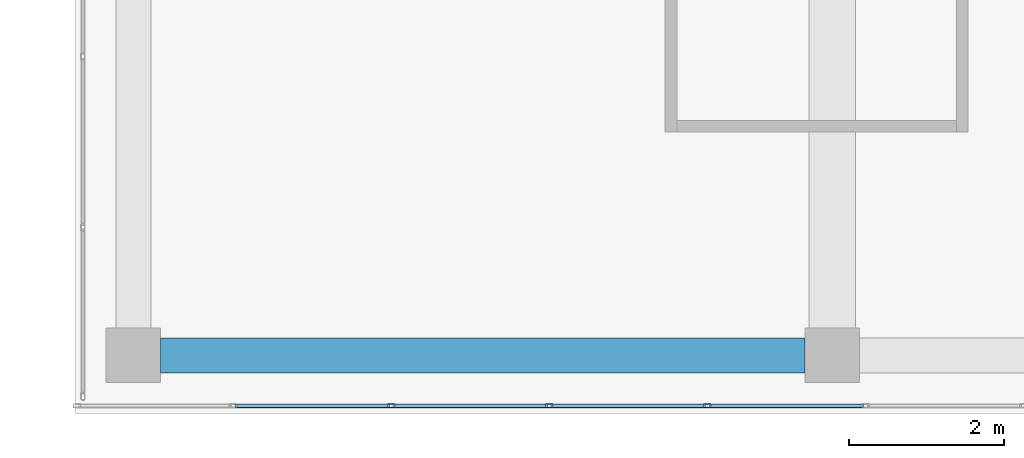
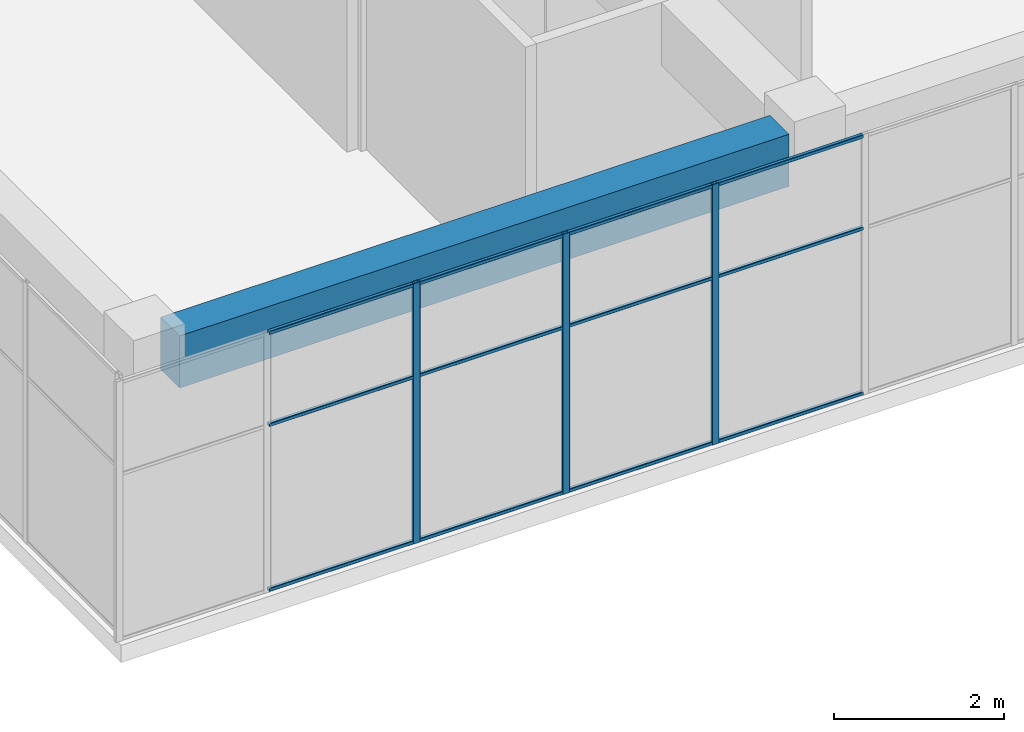
# One storey, part 11 of 43: 15 members, 1 beam, 1 element without a shape of its own.
"""IFC4 building model written with IfcOpenShell, lengths in metres."""

from ifc_helpers import new_model, si_unit, direction, frame, origin, origin_2d, place, context, subcontext, project, spatial, rectangle, hollow_rectangle, extrude, material, layer, layer_set, material_profile, profile_set, type_object, element, aggregate, save


model = new_model("IFC4")

# Units and contexts
model_context = context("Model", 3, precision=1e-05, world=origin(), true_north=direction((0.0, 1.0)))
body_context = subcontext(model_context, "Body", "Model", "MODEL_VIEW")
ifc_project = project(units=[si_unit("LENGTHUNIT", "METRE"), si_unit("AREAUNIT", "SQUARE_METRE"), si_unit("VOLUMEUNIT", "CUBIC_METRE"), si_unit("PLANEANGLEUNIT", "RADIAN"), si_unit("MASSUNIT", "GRAM", prefix="KILO")], contexts=[model_context])

# Site, building, storey
site_placement = place(None, origin())
site = spatial("IfcSite", under=ifc_project, at=site_placement, CompositionType="ELEMENT")
building_placement = place(site_placement, origin())
building = spatial("IfcBuilding", under=site, at=building_placement, Name="Tuart Plaza Theatre", CompositionType="ELEMENT")
storey_placement = place(building_placement, frame((0.0, 0.0, 33.5)))
storey = spatial("IfcBuildingStorey", under=building, at=storey_placement, Name="L08", CompositionType="ELEMENT", Elevation=33.5)

# Beam
ifc_material_1 = material(Name="Concrete N40 (40 MPa)", Category="concrete")
ifc_material_profile_1 = material_profile(ifc_material_1, rectangle(XDim=0.449951171875, YDim=0.75, at=origin_2d()), Name="BEAM 450x750 Concrete N40 (40 MPa)")
ifc_profile_set_1 = profile_set([ifc_material_profile_1], Name="Concrete N40 (40 MPa)")
beam_type = type_object("IfcBeamType", Name="BEAM 450x750 Concrete N40 (40 MPa)", PredefinedType="BEAM", material=ifc_profile_set_1)
beam_placement = place(storey_placement, frame((114.35009765625, 56.0, 3.375), z_axis=(1.0, 0.0, 0.0), x_axis=(0.0, 1.0, 0.0)))
element("IfcBeam", 1, at=beam_placement, inside=storey, type_object=beam_type, Name="RB256", PredefinedType="BEAM", context=body_context, shape_type="SweptSolid", body=[
    extrude(rectangle(XDim=0.449951171875, YDim=0.75, at=origin_2d()), origin(), (0.0, 0.0, 1.0), 8.2998046875),
])

# Curtain wall, members
ifc_material_2 = material(Name="Aluminium and glass", Category="aluminium")
ifc_layer = layer(ifc_material_2, 0.10009765625)
ifc_layer_set = layer_set([ifc_layer], Name="CURTAIN WALL 2000 module")
curtain_wall_type = type_object("IfcCurtainWallType", Name="CURTAIN WALL 2000 module", PredefinedType="NOTDEFINED", material=ifc_layer_set)
curtain_wall_placement = place(storey_placement, origin())
curtain_wall = element("IfcCurtainWall", 2, at=curtain_wall_placement, inside=storey, type_object=curtain_wall_type, Name="CW88", PredefinedType="NOTDEFINED")
ifc_material_3 = material(Name="Aluminium 6063-T5", Category="aluminium")
ifc_material_profile_2 = material_profile(ifc_material_3, hollow_rectangle(XDim=0.050048828125, YDim=0.10009765625, WallThickness=0.00390625, InnerFilletRadius=0.00390625, OuterFilletRadius=0.008056640625, at=origin_2d()), Name="RHS 100x50x4")
ifc_profile_set_2 = profile_set([ifc_material_profile_2], Name="Aluminium 6063-T5")
member_type_1 = type_object("IfcMemberType", Name="MULLION RHS 100x50x4", PredefinedType="MULLION", material=ifc_profile_set_2)
member_1_placement = place(storey_placement, frame((117.321533203125, 55.35009765625, 0.0), z_axis=(0.0, 0.0, 1.0), x_axis=(0.0, 1.0, 0.0)))
member_1 = element("IfcMember", 3, at=member_1_placement, type_object=member_type_1, Name="CW88 mullion 3", PredefinedType="MULLION", context=body_context, shape_type="SweptSolid", body=[
    extrude(hollow_rectangle(XDim=0.050048828125, YDim=0.10009765625, WallThickness=0.00390625, InnerFilletRadius=0.00390625, OuterFilletRadius=0.008056640625, at=origin_2d()), origin(), (0.0, 0.0, 1.0), 3.75),
])
member_2_placement = place(storey_placement, frame((119.357177734375, 55.35009765625, 0.0), z_axis=(0.0, 0.0, 1.0), x_axis=(0.0, 1.0, 0.0)))
member_2 = element("IfcMember", 4, at=member_2_placement, type_object=member_type_1, Name="CW88 mullion 4", PredefinedType="MULLION", context=body_context, shape_type="SweptSolid", body=[
    extrude(hollow_rectangle(XDim=0.050048828125, YDim=0.10009765625, WallThickness=0.00390625, InnerFilletRadius=0.00390625, OuterFilletRadius=0.008056640625, at=origin_2d()), origin(), (0.0, 0.0, 1.0), 3.75),
])
member_3_placement = place(storey_placement, frame((121.392822265625, 55.35009765625, 0.0), z_axis=(0.0, 0.0, 1.0), x_axis=(0.0, 1.0, 0.0)))
member_3 = element("IfcMember", 5, at=member_3_placement, type_object=member_type_1, Name="CW88 mullion 5", PredefinedType="MULLION", context=body_context, shape_type="SweptSolid", body=[
    extrude(hollow_rectangle(XDim=0.050048828125, YDim=0.10009765625, WallThickness=0.00390625, InnerFilletRadius=0.00390625, OuterFilletRadius=0.008056640625, at=origin_2d()), origin(), (0.0, 0.0, 1.0), 3.75),
])
ifc_material_4 = material(Name="Aluminium 6063-T5", Category="aluminium")
ifc_material_profile_3 = material_profile(ifc_material_4, hollow_rectangle(XDim=0.050048828125, YDim=0.050048828125, WallThickness=0.00390625, InnerFilletRadius=0.00390625, OuterFilletRadius=0.008056640625, at=origin_2d()), Name="RHS 50x50x4")
ifc_profile_set_3 = profile_set([ifc_material_profile_3], Name="Aluminium 6063-T5")
member_type_2 = type_object("IfcMemberType", Name="TRANSOM RHS 50x50x4", PredefinedType="USERDEFINED", material=ifc_profile_set_3)
member_4_placement = place(storey_placement, frame((115.310791015625, 55.35009765625, 0.02490234375), z_axis=(1.0, 0.0, 0.0), x_axis=(0.0, 1.0, 0.0)))
member_4 = element("IfcMember", 6, at=member_4_placement, type_object=member_type_2, Name="CW88 transom 2.1", ObjectType="TRANSOM", PredefinedType="USERDEFINED", context=body_context, shape_type="SweptSolid", body=[
    extrude(hollow_rectangle(XDim=0.050048828125, YDim=0.050048828125, WallThickness=0.00390625, InnerFilletRadius=0.00390625, OuterFilletRadius=0.008056640625, at=origin_2d()), origin(), (0.0, 0.0, 1.0), 1.985595703125),
])
member_5_placement = place(storey_placement, frame((115.310791015625, 55.35009765625, 2.39990234375), z_axis=(1.0, 0.0, 0.0), x_axis=(0.0, 1.0, 0.0)))
member_5 = element("IfcMember", 7, at=member_5_placement, type_object=member_type_2, Name="CW88 transom 2.2", ObjectType="TRANSOM", PredefinedType="USERDEFINED", context=body_context, shape_type="SweptSolid", body=[
    extrude(hollow_rectangle(XDim=0.050048828125, YDim=0.050048828125, WallThickness=0.00390625, InnerFilletRadius=0.00390625, OuterFilletRadius=0.008056640625, at=origin_2d()), origin(), (0.0, 0.0, 1.0), 1.985595703125),
])
member_6_placement = place(storey_placement, frame((115.310791015625, 55.35009765625, 3.72509765625), z_axis=(1.0, 0.0, 0.0), x_axis=(0.0, 1.0, 0.0)))
member_6 = element("IfcMember", 8, at=member_6_placement, type_object=member_type_2, Name="CW88 transom 2.3", ObjectType="TRANSOM", PredefinedType="USERDEFINED", context=body_context, shape_type="SweptSolid", body=[
    extrude(hollow_rectangle(XDim=0.050048828125, YDim=0.050048828125, WallThickness=0.00390625, InnerFilletRadius=0.00390625, OuterFilletRadius=0.008056640625, at=origin_2d()), origin(), (0.0, 0.0, 1.0), 1.985595703125),
])
member_7_placement = place(storey_placement, frame((117.346435546875, 55.35009765625, 0.02490234375), z_axis=(1.0, 0.0, 0.0), x_axis=(0.0, 1.0, 0.0)))
member_7 = element("IfcMember", 9, at=member_7_placement, type_object=member_type_2, Name="CW88 transom 3.1", ObjectType="TRANSOM", PredefinedType="USERDEFINED", context=body_context, shape_type="SweptSolid", body=[
    extrude(hollow_rectangle(XDim=0.050048828125, YDim=0.050048828125, WallThickness=0.00390625, InnerFilletRadius=0.00390625, OuterFilletRadius=0.008056640625, at=origin_2d()), origin(), (0.0, 0.0, 1.0), 1.985595703125),
])
member_8_placement = place(storey_placement, frame((117.346435546875, 55.35009765625, 2.39990234375), z_axis=(1.0, 0.0, 0.0), x_axis=(0.0, 1.0, 0.0)))
member_8 = element("IfcMember", 10, at=member_8_placement, type_object=member_type_2, Name="CW88 transom 3.2", ObjectType="TRANSOM", PredefinedType="USERDEFINED", context=body_context, shape_type="SweptSolid", body=[
    extrude(hollow_rectangle(XDim=0.050048828125, YDim=0.050048828125, WallThickness=0.00390625, InnerFilletRadius=0.00390625, OuterFilletRadius=0.008056640625, at=origin_2d()), origin(), (0.0, 0.0, 1.0), 1.985595703125),
])
member_9_placement = place(storey_placement, frame((117.346435546875, 55.35009765625, 3.72509765625), z_axis=(1.0, 0.0, 0.0), x_axis=(0.0, 1.0, 0.0)))
member_9 = element("IfcMember", 11, at=member_9_placement, type_object=member_type_2, Name="CW88 transom 3.3", ObjectType="TRANSOM", PredefinedType="USERDEFINED", context=body_context, shape_type="SweptSolid", body=[
    extrude(hollow_rectangle(XDim=0.050048828125, YDim=0.050048828125, WallThickness=0.00390625, InnerFilletRadius=0.00390625, OuterFilletRadius=0.008056640625, at=origin_2d()), origin(), (0.0, 0.0, 1.0), 1.985595703125),
])
member_10_placement = place(storey_placement, frame((119.382080078125, 55.35009765625, 0.02490234375), z_axis=(1.0, 0.0, 0.0), x_axis=(0.0, 1.0, 0.0)))
member_10 = element("IfcMember", 12, at=member_10_placement, type_object=member_type_2, Name="CW88 transom 4.1", ObjectType="TRANSOM", PredefinedType="USERDEFINED", context=body_context, shape_type="SweptSolid", body=[
    extrude(hollow_rectangle(XDim=0.050048828125, YDim=0.050048828125, WallThickness=0.00390625, InnerFilletRadius=0.00390625, OuterFilletRadius=0.008056640625, at=origin_2d()), origin(), (0.0, 0.0, 1.0), 1.98583984375),
])
member_11_placement = place(storey_placement, frame((119.382080078125, 55.35009765625, 2.39990234375), z_axis=(1.0, 0.0, 0.0), x_axis=(0.0, 1.0, 0.0)))
member_11 = element("IfcMember", 13, at=member_11_placement, type_object=member_type_2, Name="CW88 transom 4.2", ObjectType="TRANSOM", PredefinedType="USERDEFINED", context=body_context, shape_type="SweptSolid", body=[
    extrude(hollow_rectangle(XDim=0.050048828125, YDim=0.050048828125, WallThickness=0.00390625, InnerFilletRadius=0.00390625, OuterFilletRadius=0.008056640625, at=origin_2d()), origin(), (0.0, 0.0, 1.0), 1.98583984375),
])
member_12_placement = place(storey_placement, frame((119.382080078125, 55.35009765625, 3.72509765625), z_axis=(1.0, 0.0, 0.0), x_axis=(0.0, 1.0, 0.0)))
member_12 = element("IfcMember", 14, at=member_12_placement, type_object=member_type_2, Name="CW88 transom 4.3", ObjectType="TRANSOM", PredefinedType="USERDEFINED", context=body_context, shape_type="SweptSolid", body=[
    extrude(hollow_rectangle(XDim=0.050048828125, YDim=0.050048828125, WallThickness=0.00390625, InnerFilletRadius=0.00390625, OuterFilletRadius=0.008056640625, at=origin_2d()), origin(), (0.0, 0.0, 1.0), 1.98583984375),
])
member_13_placement = place(storey_placement, frame((121.41796875, 55.35009765625, 0.02490234375), z_axis=(1.0, 0.0, 0.0), x_axis=(0.0, 1.0, 0.0)))
member_13 = element("IfcMember", 15, at=member_13_placement, type_object=member_type_2, Name="CW88 transom 5.1", ObjectType="TRANSOM", PredefinedType="USERDEFINED", context=body_context, shape_type="SweptSolid", body=[
    extrude(hollow_rectangle(XDim=0.050048828125, YDim=0.050048828125, WallThickness=0.00390625, InnerFilletRadius=0.00390625, OuterFilletRadius=0.008056640625, at=origin_2d()), origin(), (0.0, 0.0, 1.0), 1.985595703125),
])
member_14_placement = place(storey_placement, frame((121.41796875, 55.35009765625, 2.39990234375), z_axis=(1.0, 0.0, 0.0), x_axis=(0.0, 1.0, 0.0)))
member_14 = element("IfcMember", 16, at=member_14_placement, type_object=member_type_2, Name="CW88 transom 5.2", ObjectType="TRANSOM", PredefinedType="USERDEFINED", context=body_context, shape_type="SweptSolid", body=[
    extrude(hollow_rectangle(XDim=0.050048828125, YDim=0.050048828125, WallThickness=0.00390625, InnerFilletRadius=0.00390625, OuterFilletRadius=0.008056640625, at=origin_2d()), origin(), (0.0, 0.0, 1.0), 1.985595703125),
])
member_15_placement = place(storey_placement, frame((121.41796875, 55.35009765625, 3.72509765625), z_axis=(1.0, 0.0, 0.0), x_axis=(0.0, 1.0, 0.0)))
member_15 = element("IfcMember", 17, at=member_15_placement, type_object=member_type_2, Name="CW88 transom 5.3", ObjectType="TRANSOM", PredefinedType="USERDEFINED", context=body_context, shape_type="SweptSolid", body=[
    extrude(hollow_rectangle(XDim=0.050048828125, YDim=0.050048828125, WallThickness=0.00390625, InnerFilletRadius=0.00390625, OuterFilletRadius=0.008056640625, at=origin_2d()), origin(), (0.0, 0.0, 1.0), 1.985595703125),
])
aggregate(curtain_wall, [member_1, member_2, member_3, member_4, member_5, member_6, member_7, member_8, member_9, member_10, member_11, member_12, member_13, member_14, member_15])

save(model, "model.ifc")
